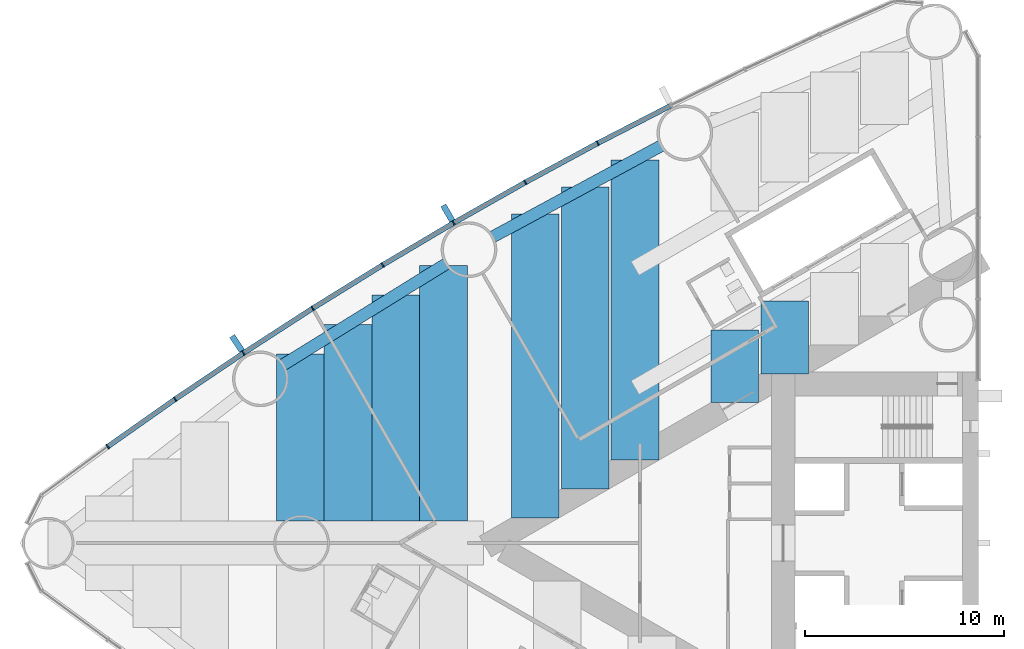
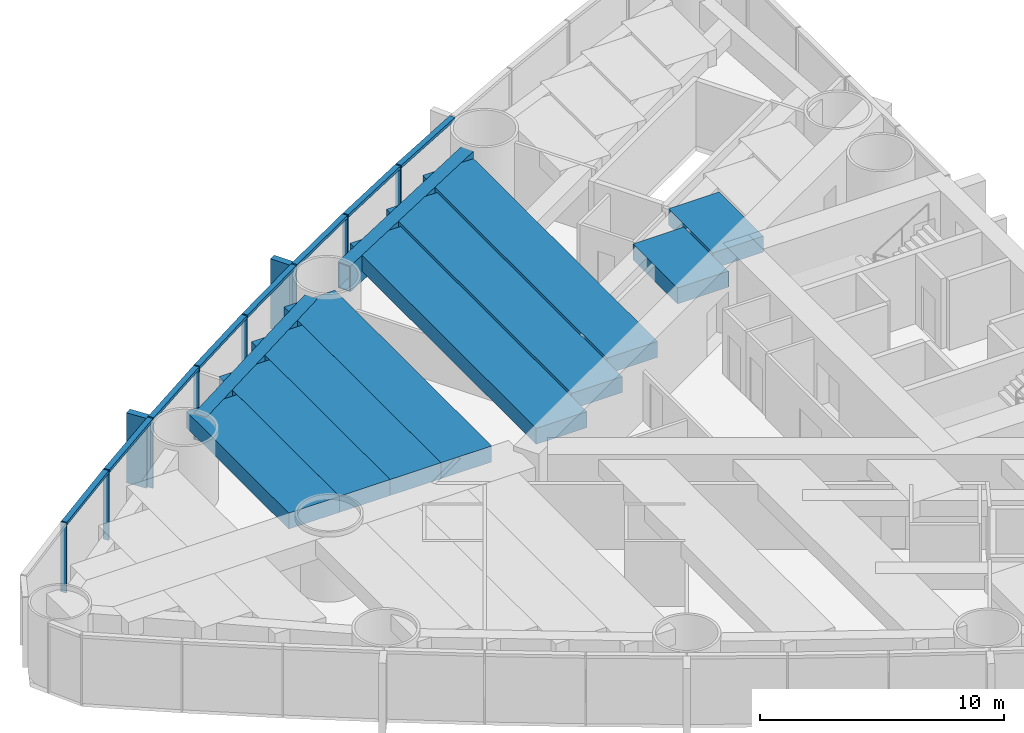
# One storey, part 4 of 19: 18 members, 11 beams, 1 element without a shape of its own.
"""IFC4 building model written with IfcOpenShell, lengths in metres."""

from ifc_helpers import new_model, si_unit, direction, frame, origin, origin_2d, place, context, subcontext, project, spatial, rectangle, hollow_rectangle, extrude, material, material_profile, profile_set, type_object, element, aggregate, save


model = new_model("IFC4")

# Units and contexts
model_context = context("Model", 3, precision=1e-05, world=origin(), true_north=direction((0.0, 1.0)))
body_context = subcontext(model_context, "Body", "Model", "MODEL_VIEW")
ifc_project = project(units=[si_unit("LENGTHUNIT", "METRE"), si_unit("AREAUNIT", "SQUARE_METRE"), si_unit("VOLUMEUNIT", "CUBIC_METRE"), si_unit("PLANEANGLEUNIT", "RADIAN"), si_unit("MASSUNIT", "GRAM", prefix="KILO")], contexts=[model_context])

# Site, building, storey
site_placement = place(None, origin())
site = spatial("IfcSite", under=ifc_project, at=site_placement, CompositionType="ELEMENT")
building_placement = place(site_placement, origin())
building = spatial("IfcBuilding", under=site, at=building_placement, Name="Lancet Gate Hotel", CompositionType="ELEMENT")
storey_placement = place(building_placement, frame((0.0, 0.0, 74.0)))
storey = spatial("IfcBuildingStorey", under=building, at=storey_placement, Name="L19", CompositionType="ELEMENT", Elevation=74.0)

# Curtain wall, members
ifc_material_1 = material(Name="Aluminium curtain wall", Category="aluminium")
curtain_wall_type = type_object("IfcCurtainWallType", Name="Tower unitised curtain wall", PredefinedType="USERDEFINED", material=ifc_material_1)
curtain_wall_placement = place(storey_placement, origin())
curtain_wall = element("IfcCurtainWall", 1, at=curtain_wall_placement, inside=storey, type_object=curtain_wall_type, Name="T1 L19 curtain wall 2", ObjectType="UNITISED CURTAIN WALL", PredefinedType="USERDEFINED")
ifc_material_2 = material(Name="Aluminium mullion", Category="aluminium")
ifc_material_profile_1 = material_profile(ifc_material_2, rectangle(XDim=0.06494140625, YDim=0.25, at=origin_2d()), Name="MULLION 65x250")
ifc_profile_set_1 = profile_set([ifc_material_profile_1], Name="Aluminium mullion")
member_type_1 = type_object("IfcMemberType", Name="Aluminium mullion 65x250", PredefinedType="MULLION", material=ifc_profile_set_1)
member_1_placement = place(storey_placement, frame((-46.6220703125, 20.094970703125, 0.0), z_axis=(0.0, 0.0, 1.0), x_axis=(-0.884311132302, -0.466898084475, 0.0)))
member_1 = element("IfcMember", 2, at=member_1_placement, type_object=member_type_1, Name="T1 L19 curtain wall 2 mullion 6", PredefinedType="MULLION", context=body_context, shape_type="SweptSolid", body=[
    extrude(rectangle(XDim=0.06494140625, YDim=0.25, at=origin_2d()), origin(), (0.0, 0.0, 1.0), 3.5),
])
member_2_placement = place(storey_placement, frame((-50.26416015625, 18.1259765625, 0.0), z_axis=(0.0, 0.0, 1.0), x_axis=(-0.874991035403, -0.484139120464, 0.0)))
member_2 = element("IfcMember", 3, at=member_2_placement, type_object=member_type_1, Name="T1 L19 curtain wall 2 mullion 7", PredefinedType="MULLION", context=body_context, shape_type="SweptSolid", body=[
    extrude(rectangle(XDim=0.06494140625, YDim=0.25, at=origin_2d()), origin(), (0.0, 0.0, 1.0), 3.5),
])
member_3_placement = place(storey_placement, frame((-53.866943359375, 16.086181640625, 0.0), z_axis=(0.0, 0.0, 1.0), x_axis=(-0.86533483912, -0.501194190115, 0.0)))
member_3 = element("IfcMember", 4, at=member_3_placement, type_object=member_type_1, Name="T1 L19 curtain wall 2 mullion 8", PredefinedType="MULLION", context=body_context, shape_type="SweptSolid", body=[
    extrude(rectangle(XDim=0.06494140625, YDim=0.25, at=origin_2d()), origin(), (0.0, 0.0, 1.0), 3.5),
])
member_4_placement = place(storey_placement, frame((-57.42919921875, 13.97607421875, 0.0), z_axis=(0.0, 0.0, 1.0), x_axis=(-0.855346252548, -0.518056742309, 0.0)))
member_4 = element("IfcMember", 5, at=member_4_placement, type_object=member_type_1, Name="T1 L19 curtain wall 2 mullion 9", PredefinedType="MULLION", context=body_context, shape_type="SweptSolid", body=[
    extrude(rectangle(XDim=0.06494140625, YDim=0.25, at=origin_2d()), origin(), (0.0, 0.0, 1.0), 3.5),
])
member_5_placement = place(storey_placement, frame((-60.949462890625, 11.796630859375, 0.0), z_axis=(0.0, 0.0, 1.0), x_axis=(-0.845029112489, -0.534720299827, 0.0)))
member_5 = element("IfcMember", 6, at=member_5_placement, type_object=member_type_1, Name="T1 L19 curtain wall 2 mullion 10", PredefinedType="MULLION", context=body_context, shape_type="SweptSolid", body=[
    extrude(rectangle(XDim=0.06494140625, YDim=0.25, at=origin_2d()), origin(), (0.0, 0.0, 1.0), 3.5),
])
member_6_placement = place(storey_placement, frame((-64.42626953125, 9.548583984375, 0.0), z_axis=(0.0, 0.0, 1.0), x_axis=(-0.834387381945, -0.55117846189, 0.0)))
member_6 = element("IfcMember", 7, at=member_6_placement, type_object=member_type_1, Name="T1 L19 curtain wall 2 mullion 11", PredefinedType="MULLION", context=body_context, shape_type="SweptSolid", body=[
    extrude(rectangle(XDim=0.06494140625, YDim=0.25, at=origin_2d()), origin(), (0.0, 0.0, 1.0), 3.5),
])
member_7_placement = place(storey_placement, frame((-67.858154296875, 7.232666015625, 0.0), z_axis=(0.0, 0.0, 1.0), x_axis=(-0.823425148573, -0.56742490666, 0.0)))
member_7 = element("IfcMember", 8, at=member_7_placement, type_object=member_type_1, Name="T1 L19 curtain wall 2 mullion 12", PredefinedType="MULLION", context=body_context, shape_type="SweptSolid", body=[
    extrude(rectangle(XDim=0.06494140625, YDim=0.25, at=origin_2d()), origin(), (0.0, 0.0, 1.0), 3.5),
])
member_8_placement = place(storey_placement, frame((-71.244384765625, 4.85009765625, 0.0), z_axis=(0.0, 0.0, 1.0), x_axis=(-0.812146623168, -0.583453393578, 0.0)))
member_8 = element("IfcMember", 9, at=member_8_placement, type_object=member_type_1, Name="T1 L19 curtain wall 2 mullion 13", PredefinedType="MULLION", context=body_context, shape_type="SweptSolid", body=[
    extrude(rectangle(XDim=0.06494140625, YDim=0.25, at=origin_2d()), origin(), (0.0, 0.0, 1.0), 3.5),
])
ifc_material_3 = material(Name="Aluminium transom", Category="aluminium")
ifc_material_profile_2 = material_profile(ifc_material_3, rectangle(XDim=0.25, YDim=0.14990234375, at=origin_2d()), Name="TRANSOM 250x150")
ifc_profile_set_2 = profile_set([ifc_material_profile_2], Name="Aluminium transom")
member_type_2 = type_object("IfcMemberType", Name="Aluminium transom 250x150", PredefinedType="USERDEFINED", material=ifc_profile_set_2)
member_9_placement = place(storey_placement, frame((-42.970703125, 21.97705078125, 3.425048828125), z_axis=(-0.888859972399, -0.458178949175, 0.0), x_axis=(0.458178949175, -0.888859972399, 0.0)))
member_9 = element("IfcMember", 10, at=member_9_placement, type_object=member_type_2, Name="T1 L19 curtain wall 2 transom 5", ObjectType="TRANSOM", PredefinedType="USERDEFINED", context=body_context, shape_type="SweptSolid", body=[
    extrude(rectangle(XDim=0.25, YDim=0.14990234375, at=origin_2d()), origin(), (0.0, 0.0, 1.0), 4.0751953125),
])
member_10_placement = place(storey_placement, frame((-46.650634765625, 20.079345703125, 3.425048828125), z_axis=(-0.87971396408, -0.475503250675, 0.0), x_axis=(0.475503250675, -0.87971396408, 0.0)))
member_10 = element("IfcMember", 11, at=member_10_placement, type_object=member_type_2, Name="T1 L19 curtain wall 2 transom 6", ObjectType="TRANSOM", PredefinedType="USERDEFINED", context=body_context, shape_type="SweptSolid", body=[
    extrude(rectangle(XDim=0.25, YDim=0.14990234375, at=origin_2d()), origin(), (0.0, 0.0, 1.0), 4.0751953125),
])
member_11_placement = place(storey_placement, frame((-50.29248046875, 18.110107421875, 3.425048828125), z_axis=(-0.870197729943, -0.492702659625, 0.0), x_axis=(0.492702659625, -0.870197729943, 0.0)))
member_11 = element("IfcMember", 12, at=member_11_placement, type_object=member_type_2, Name="T1 L19 curtain wall 2 transom 7", ObjectType="TRANSOM", PredefinedType="USERDEFINED", context=body_context, shape_type="SweptSolid", body=[
    extrude(rectangle(XDim=0.25, YDim=0.14990234375, at=origin_2d()), origin(), (0.0, 0.0, 1.0), 4.0751953125),
])
member_12_placement = place(storey_placement, frame((-53.89501953125, 16.069580078125, 3.425048828125), z_axis=(-0.86039174806, -0.509633240547, 0.0), x_axis=(0.509633240547, -0.86039174806, 0.0)))
member_12 = element("IfcMember", 13, at=member_12_placement, type_object=member_type_2, Name="T1 L19 curtain wall 2 transom 8", ObjectType="TRANSOM", PredefinedType="USERDEFINED", context=body_context, shape_type="SweptSolid", body=[
    extrude(rectangle(XDim=0.25, YDim=0.14990234375, at=origin_2d()), origin(), (0.0, 0.0, 1.0), 4.0751953125),
])
member_13_placement = place(storey_placement, frame((-57.456787109375, 13.958984375, 3.425048828125), z_axis=(-0.850242165643, -0.526391736032, 0.0), x_axis=(0.526391736032, -0.850242165643, 0.0)))
member_13 = element("IfcMember", 14, at=member_13_placement, type_object=member_type_2, Name="T1 L19 curtain wall 2 transom 9", ObjectType="TRANSOM", PredefinedType="USERDEFINED", context=body_context, shape_type="SweptSolid", body=[
    extrude(rectangle(XDim=0.25, YDim=0.14990234375, at=origin_2d()), origin(), (0.0, 0.0, 1.0), 4.075439453125),
])
member_14_placement = place(storey_placement, frame((-60.976806640625, 11.779052734375, 3.425048828125), z_axis=(-0.839729242404, -0.543005340169, 0.0), x_axis=(0.543005340169, -0.839729242404, 0.0)))
member_14 = element("IfcMember", 15, at=member_14_placement, type_object=member_type_2, Name="T1 L19 curtain wall 2 transom 10", ObjectType="TRANSOM", PredefinedType="USERDEFINED", context=body_context, shape_type="SweptSolid", body=[
    extrude(rectangle(XDim=0.25, YDim=0.14990234375, at=origin_2d()), origin(), (0.0, 0.0, 1.0), 4.0751953125),
])
member_15_placement = place(storey_placement, frame((-64.453125, 9.5302734375, 3.425048828125), z_axis=(-0.828959086782, -0.559309245804, 0.0), x_axis=(0.559309245804, -0.828959086782, 0.0)))
member_15 = element("IfcMember", 16, at=member_15_placement, type_object=member_type_2, Name="T1 L19 curtain wall 2 transom 11", ObjectType="TRANSOM", PredefinedType="USERDEFINED", context=body_context, shape_type="SweptSolid", body=[
    extrude(rectangle(XDim=0.25, YDim=0.14990234375, at=origin_2d()), origin(), (0.0, 0.0, 1.0), 4.0751953125),
])
member_16_placement = place(storey_placement, frame((-67.884765625, 7.214111328125, 3.425048828125), z_axis=(-0.817833568345, -0.57545482402, 0.0), x_axis=(0.57545482402, -0.817833568345, 0.0)))
member_16 = element("IfcMember", 17, at=member_16_placement, type_object=member_type_2, Name="T1 L19 curtain wall 2 transom 12", ObjectType="TRANSOM", PredefinedType="USERDEFINED", context=body_context, shape_type="SweptSolid", body=[
    extrude(rectangle(XDim=0.25, YDim=0.14990234375, at=origin_2d()), origin(), (0.0, 0.0, 1.0), 4.075439453125),
])

# Beams
ifc_material_4 = material(Name="Steel S460QL", Category="steel")
ifc_material_profile_3 = material_profile(ifc_material_4, hollow_rectangle(XDim=0.60009765625, YDim=1.300048828125, WallThickness=0.050048828125, at=origin_2d()), Name="BOX 1300x600x50")
ifc_profile_set_3 = profile_set([ifc_material_profile_3], Name="Steel S460QL")
beam_type_1 = type_object("IfcBeamType", Name="Edge beam BOX 1300x600x50", PredefinedType="SPANDREL", material=ifc_profile_set_3)
beam_1_placement = place(storey_placement, frame((-43.432861328125, 19.96533203125, 2.60009765625), z_axis=(-0.879700493083, -0.475528172109, 0.0), x_axis=(0.475528172109, -0.879700493083, 0.0)))
element("IfcBeam", 18, at=beam_1_placement, inside=storey, type_object=beam_type_1, Name="T1 edge beam EB2 L19", PredefinedType="SPANDREL", context=body_context, shape_type="SweptSolid", body=[
    extrude(hollow_rectangle(XDim=0.60009765625, YDim=1.300048828125, WallThickness=0.050048828125, at=origin_2d()), origin(), (0.0, 0.0, 1.0), 9.6279296875),
])
beam_2_placement = place(storey_placement, frame((-54.238037109375, 14.0341796875, 2.60009765625), z_axis=(-0.85022731652, -0.526415719981, 0.0), x_axis=(0.526415719981, -0.85022731652, 0.0)))
element("IfcBeam", 19, at=beam_2_placement, inside=storey, type_object=beam_type_1, Name="T1 edge beam EB2 L19", PredefinedType="SPANDREL", context=body_context, shape_type="SweptSolid", body=[
    extrude(hollow_rectangle(XDim=0.60009765625, YDim=1.300048828125, WallThickness=0.050048828125, at=origin_2d()), origin(), (0.0, 0.0, 1.0), 9.628173828125),
])

# Member
ifc_material_5 = material(Name="Precast concrete C50/60", Category="concrete")
ifc_material_profile_4 = material_profile(ifc_material_5, rectangle(XDim=0.300048828125, YDim=0.89990234375, at=origin_2d()), Name="FIN 300x900")
ifc_profile_set_4 = profile_set([ifc_material_profile_4], Name="Precast concrete C50/60")
member_type_3 = type_object("IfcMemberType", Name="Exposed concrete fin 300x900", PredefinedType="USERDEFINED", material=ifc_profile_set_4)
member_17_placement = place(storey_placement, frame((-54.1552734375, 16.583740234375, 0.0), z_axis=(0.0, 0.0, 1.0), x_axis=(-0.86533483912, -0.501194190115, 0.0)))
member_17 = element("IfcMember", 20, at=member_17_placement, type_object=member_type_3, Name="T1 L19 curtain wall 2 fin 8", ObjectType="FIN", PredefinedType="USERDEFINED", context=body_context, shape_type="SweptSolid", body=[
    extrude(rectangle(XDim=0.300048828125, YDim=0.89990234375, at=origin_2d()), origin(), (0.0, 0.0, 1.0), 3.5),
])

member_18_placement = place(storey_placement, frame((-64.7431640625, 10.0283203125, 0.0), z_axis=(0.0, 0.0, 1.0), x_axis=(-0.834387381945, -0.55117846189, 0.0)))
member_18 = element("IfcMember", 21, at=member_18_placement, type_object=member_type_3, Name="T1 L19 curtain wall 2 fin 11", ObjectType="FIN", PredefinedType="USERDEFINED", context=body_context, shape_type="SweptSolid", body=[
    extrude(rectangle(XDim=0.300048828125, YDim=0.89990234375, at=origin_2d()), origin(), (0.0, 0.0, 1.0), 3.5),
])

aggregate(curtain_wall, [member_1, member_2, member_3, member_17, member_4, member_5, member_6, member_18, member_7, member_8, member_9, member_10, member_11, member_12, member_13, member_14, member_15, member_16])

# Beams
ifc_material_6 = material(Name="Concrete C50/60", Category="concrete")
ifc_material_profile_5 = material_profile(ifc_material_6, rectangle(XDim=2.39990234375, YDim=0.800048828125, at=origin_2d()), Name="RC 2400x800")
ifc_profile_set_5 = profile_set([ifc_material_profile_5], Name="Concrete C50/60")
beam_type_2 = type_object("IfcBeamType", Name="Floor beam RC 2400x800", PredefinedType="BEAM", material=ifc_profile_set_5)
beam_3_placement = place(storey_placement, frame((-44.747802734375, 19.254638671875, 2.85009765625), z_axis=(0.0, -1.0, 0.0), x_axis=(1.0, 0.0, 0.0)))
element("IfcBeam", 22, at=beam_3_placement, inside=storey, type_object=beam_type_2, Name="T1 floor beam F09S L19", PredefinedType="BEAM", context=body_context, shape_type="SweptSolid", body=[
    extrude(rectangle(XDim=2.39990234375, YDim=0.800048828125, at=origin_2d()), origin(), (0.0, 0.0, 1.0), 15.0859375),
])
beam_4_placement = place(storey_placement, frame((-47.254638671875, 17.8994140625, 2.85009765625), z_axis=(0.0, -1.0, 0.0), x_axis=(1.0, 0.0, 0.0)))
element("IfcBeam", 23, at=beam_4_placement, inside=storey, type_object=beam_type_2, Name="T1 floor beam F10S L19", PredefinedType="BEAM", context=body_context, shape_type="SweptSolid", body=[
    extrude(rectangle(XDim=2.39990234375, YDim=0.800048828125, at=origin_2d()), origin(), (0.0, 0.0, 1.0), 15.177978515625),
])
beam_5_placement = place(storey_placement, frame((-49.761474609375, 16.54443359375, 2.85009765625), z_axis=(0.0, -1.0, 0.0), x_axis=(1.0, 0.0, 0.0)))
element("IfcBeam", 24, at=beam_5_placement, inside=storey, type_object=beam_type_2, Name="T1 floor beam F12S L19", PredefinedType="BEAM", context=body_context, shape_type="SweptSolid", body=[
    extrude(rectangle(XDim=2.39990234375, YDim=0.800048828125, at=origin_2d()), origin(), (0.0, 0.0, 1.0), 15.270263671875),
])
beam_6_placement = place(storey_placement, frame((-54.3681640625, 13.95361328125, 2.85009765625), z_axis=(0.0, -1.0, 0.0), x_axis=(1.0, 0.0, 0.0)))
element("IfcBeam", 25, at=beam_6_placement, inside=storey, type_object=beam_type_2, Name="T1 floor beam F13S L19", PredefinedType="BEAM", context=body_context, shape_type="SweptSolid", body=[
    extrude(rectangle(XDim=2.39990234375, YDim=0.800048828125, at=origin_2d()), origin(), (0.0, 0.0, 1.0), 12.853515625),
])
beam_7_placement = place(storey_placement, frame((-56.768310546875, 12.467529296875, 2.85009765625), z_axis=(0.0, -1.0, 0.0), x_axis=(1.0, 0.0, 0.0)))
element("IfcBeam", 26, at=beam_7_placement, inside=storey, type_object=beam_type_2, Name="T1 floor beam F15S L19", PredefinedType="BEAM", context=body_context, shape_type="SweptSolid", body=[
    extrude(rectangle(XDim=2.39990234375, YDim=0.800048828125, at=origin_2d()), origin(), (0.0, 0.0, 1.0), 11.367431640625),
])
beam_8_placement = place(storey_placement, frame((-59.168212890625, 10.981689453125, 2.85009765625), z_axis=(0.0, -1.0, 0.0), x_axis=(1.0, 0.0, 0.0)))
element("IfcBeam", 27, at=beam_8_placement, inside=storey, type_object=beam_type_2, Name="T1 floor beam F17S L19", PredefinedType="BEAM", context=body_context, shape_type="SweptSolid", body=[
    extrude(rectangle(XDim=2.39990234375, YDim=0.800048828125, at=origin_2d()), origin(), (0.0, 0.0, 1.0), 9.881591796875),
])
beam_9_placement = place(storey_placement, frame((-61.568359375, 9.495849609375, 2.85009765625), z_axis=(0.0, -1.0, 0.0), x_axis=(1.0, 0.0, 0.0)))
element("IfcBeam", 28, at=beam_9_placement, inside=storey, type_object=beam_type_2, Name="T1 floor beam F19S L19", PredefinedType="BEAM", context=body_context, shape_type="SweptSolid", body=[
    extrude(rectangle(XDim=2.39990234375, YDim=0.800048828125, at=origin_2d()), origin(), (0.0, 0.0, 1.0), 8.395751953125),
])
beam_10_placement = place(storey_placement, frame((-37.227294921875, 12.15625, 2.85009765625), z_axis=(0.0, -1.0, 0.0), x_axis=(1.0, 0.0, 0.0)))
element("IfcBeam", 29, at=beam_10_placement, inside=storey, type_object=beam_type_2, Name="T1 floor beam F05SB L19", PredefinedType="BEAM", context=body_context, shape_type="SweptSolid", body=[
    extrude(rectangle(XDim=2.39990234375, YDim=0.800048828125, at=origin_2d()), origin(), (0.0, 0.0, 1.0), 3.6455078125),
])
beam_11_placement = place(storey_placement, frame((-39.734130859375, 10.708740234375, 2.85009765625), z_axis=(0.0, -1.0, 0.0), x_axis=(1.0, 0.0, 0.0)))
element("IfcBeam", 30, at=beam_11_placement, inside=storey, type_object=beam_type_2, Name="T1 floor beam F07SB L19", PredefinedType="BEAM", context=body_context, shape_type="SweptSolid", body=[
    extrude(rectangle(XDim=2.39990234375, YDim=0.800048828125, at=origin_2d()), origin(), (0.0, 0.0, 1.0), 3.645263671875),
])

save(model, "model.ifc")
